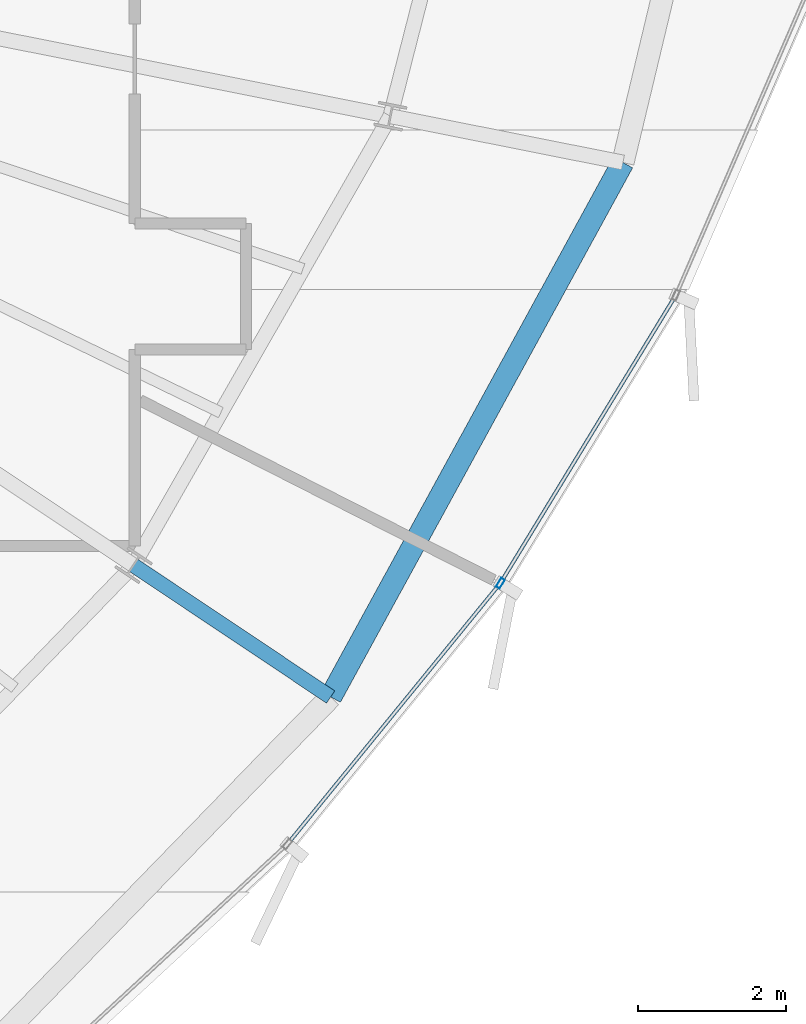
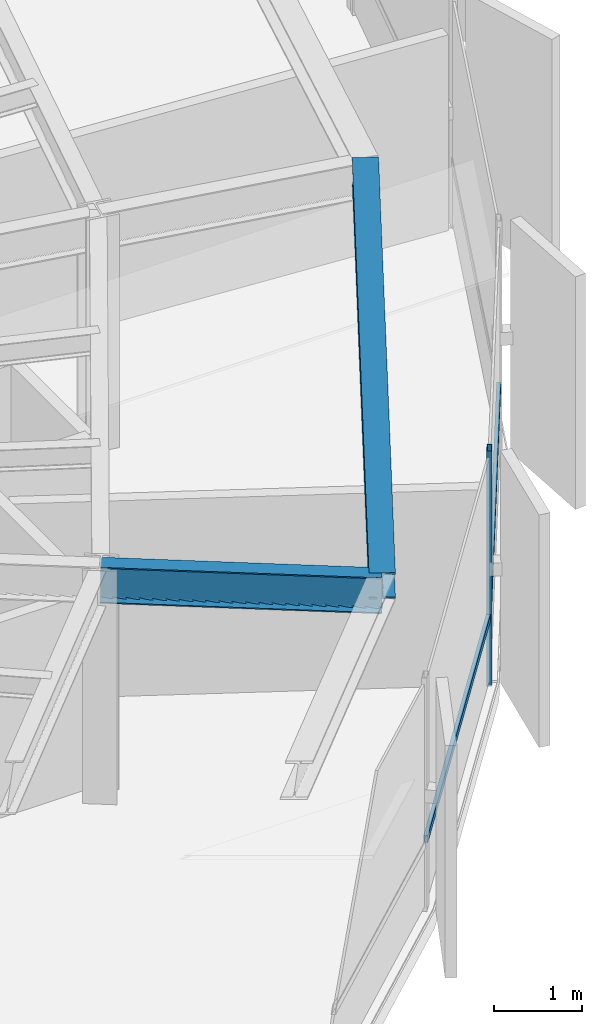
# One storey, part 15 of 34: 3 members, 2 beams, 1 element without a shape of its own.
"""IFC4 building model written with IfcOpenShell, lengths in metres."""

import ifcopenshell
import ifcopenshell.guid

model = None  # the IFC model being written
_history = None  # IfcOwnerHistory: only IFC2X3 demands one
_inside = {}  # id of a spatial element -> (the spatial element, [elements in it])
_under = {}  # id of a project, library or spatial element -> (it, [spatial elements below it])
_declared = {}  # id of a project -> (the project, [libraries it declares])
_typed = {}  # id of a type object -> (the type object, [elements of that type])
_made_of = {}  # id of a material, layer set ... -> (it, [elements and type objects made of it])


def new_model(schema):
    """Start an empty IFC model of exactly this schema.

    Asked for "IFC4X3", IfcOpenShell would pick the latest addendum, in which some entities
    have other attributes; the version numbers below select the first issue.
    IFC2X3 requires an IfcOwnerHistory on every rooted entity: one is made here for all.
    """
    global model, _history
    if schema == "IFC4X3":
        model = ifcopenshell.file(schema_version=(4, 3, 0, 0))
    else:
        model = ifcopenshell.file(schema=schema)
    _inside.clear()
    _under.clear()
    _declared.clear()
    _typed.clear()
    _made_of.clear()
    _history = None
    if model.schema == "IFC2X3":
        org = make("IfcOrganization", Name="unknown")
        user = make(
            "IfcPersonAndOrganization",
            ThePerson=make("IfcPerson", FamilyName="unknown"),
            TheOrganization=org,
        )
        app = make(
            "IfcApplication",
            ApplicationDeveloper=org,
            Version="unknown",
            ApplicationFullName="unknown",
            ApplicationIdentifier="unknown",
        )
        _history = make(
            "IfcOwnerHistory",
            OwningUser=user,
            OwningApplication=app,
            ChangeAction="ADDED",
            CreationDate=0,
        )
    return model


def make(cls, **values):
    """One entity of the class cls with the attributes given. An attribute that is None is left unset."""
    return model.create_entity(
        cls, **{name: value for name, value in values.items() if value is not None}
    )


def rooted(cls, **values):
    """An entity with a GlobalId (a new one), such as an element, a storey or a relation."""
    return make(cls, GlobalId=ifcopenshell.guid.new(), OwnerHistory=_history, **values)


def si_unit(unit_type, name, prefix=None):
    """IfcSIUnit, for example si_unit("LENGTHUNIT", "METRE", prefix="MILLI")."""
    return make("IfcSIUnit", UnitType=unit_type, Prefix=prefix, Name=name)


def assignment(units):
    """IfcUnitAssignment: the units of a project."""
    return None if units is None else make("IfcUnitAssignment", Units=units)


def point(xyz):
    """IfcCartesianPoint."""
    return None if xyz is None else make("IfcCartesianPoint", Coordinates=xyz)


def direction(xyz):
    """IfcDirection."""
    return None if xyz is None else make("IfcDirection", DirectionRatios=xyz)


def frame(location, z_axis=None, x_axis=None):
    """IfcAxis2Placement3D, a coordinate frame: its origin and axes. An axis left out is left unset."""
    return make(
        "IfcAxis2Placement3D",
        Location=point(location),
        Axis=direction(z_axis),
        RefDirection=direction(x_axis),
    )


def frame_2d(location, x_axis=None):
    """IfcAxis2Placement2D, a coordinate frame in the plane: its origin and x axis."""
    return make(
        "IfcAxis2Placement2D", Location=point(location), RefDirection=direction(x_axis)
    )


def origin():
    """The frame at (0, 0, 0) with its axes left unset."""
    return frame((0.0, 0.0, 0.0))


def origin_2d():
    """The frame at (0, 0) in the plane with its x axis left unset."""
    return frame_2d((0.0, 0.0))


def place(relative_to, where):
    """IfcLocalPlacement: puts the frame where relative to a parent placement (None: the world)."""
    return make(
        "IfcLocalPlacement", PlacementRelTo=relative_to, RelativePlacement=where
    )


def context(
    kind, dimensions, precision=None, world=None, true_north=None, identifier=None
):
    """IfcGeometricRepresentationContext, for example the 3D "Model" context."""
    return make(
        "IfcGeometricRepresentationContext",
        ContextIdentifier=identifier,
        ContextType=kind,
        CoordinateSpaceDimension=dimensions,
        Precision=precision,
        WorldCoordinateSystem=world,
        TrueNorth=true_north,
    )


def subcontext(parent, identifier, kind, view, scale=None):
    """IfcGeometricRepresentationSubContext, for example "Body" below "Model"."""
    return make(
        "IfcGeometricRepresentationSubContext",
        ContextIdentifier=identifier,
        ContextType=kind,
        ParentContext=parent,
        TargetScale=scale,
        TargetView=view,
    )


def project(units=None, contexts=None):
    """IfcProject with its units and contexts."""
    return rooted(
        "IfcProject",
        Name="project",
        RepresentationContexts=contexts,
        UnitsInContext=assignment(units),
    )


def spatial(cls, under=None, at=None, **own):
    """A site, building, storey or space (cls), placed at a placement, below another one or the project."""
    s = rooted(cls, ObjectPlacement=at, **own)
    if under is not None:
        _under.setdefault(under.id(), (under, []))[1].append(s)
    return s


def profile(cls, at=None, kind="AREA", **sizes):
    """A parametric profile (cls). Its sizes go by their IFC names, for example OverallWidth=200.0."""
    return make(cls, ProfileType=kind, Position=at, **sizes)


def hollow_rectangle(**sizes):
    """IfcRectangleHollowProfileDef."""
    return profile("IfcRectangleHollowProfileDef", **sizes)


def i_section(**sizes):
    """IfcIShapeProfileDef."""
    return profile("IfcIShapeProfileDef", **sizes)


def extrude(swept, where, along, depth):
    """IfcExtrudedAreaSolid: the profile swept, set in the frame where, extruded along a direction by depth."""
    return make(
        "IfcExtrudedAreaSolid",
        SweptArea=swept,
        Position=where,
        ExtrudedDirection=direction(along),
        Depth=depth,
    )


def shape(context_of_items, identifier, shape_type, items):
    """IfcShapeRepresentation: the items that make up one representation, for example the "Body"."""
    return make(
        "IfcShapeRepresentation",
        ContextOfItems=context_of_items,
        RepresentationIdentifier=identifier,
        RepresentationType=shape_type,
        Items=items,
    )


def source(mapping_origin, context_of_items, identifier, shape_type, items):
    """IfcRepresentationMap: a shape defined once, which mapped items show again and again."""
    return make(
        "IfcRepresentationMap",
        MappingOrigin=mapping_origin,
        MappedRepresentation=shape(context_of_items, identifier, shape_type, items),
    )


def transform(
    local_origin,
    x_axis=None,
    y_axis=None,
    z_axis=None,
    scale=None,
    scale2=None,
    scale3=None,
    uniform=True,
):
    """IfcCartesianTransformationOperator3D, or its non-uniform kind. x_axis, y_axis, z_axis: its Axis1, 2, 3."""
    if uniform:
        return make(
            "IfcCartesianTransformationOperator3D",
            Axis1=direction(x_axis),
            Axis2=direction(y_axis),
            LocalOrigin=point(local_origin),
            Scale=scale,
            Axis3=direction(z_axis),
        )
    return make(
        "IfcCartesianTransformationOperator3DnonUniform",
        Axis1=direction(x_axis),
        Axis2=direction(y_axis),
        LocalOrigin=point(local_origin),
        Scale=scale,
        Axis3=direction(z_axis),
        Scale2=scale2,
        Scale3=scale3,
    )


def mapped(mapping_source, mapping_target):
    """IfcMappedItem: shows the shape of a source again, moved by a transform."""
    return make(
        "IfcMappedItem", MappingSource=mapping_source, MappingTarget=mapping_target
    )


def material(Name=None, Category=None):
    """IfcMaterial."""
    return make("IfcMaterial", Name=Name, Category=Category)


def layer(
    of_material, thickness, ventilated=None, Name=None, Category=None, Priority=None
):
    """IfcMaterialLayer: one layer of a wall or slab, of a material (None: an air gap)."""
    return make(
        "IfcMaterialLayer",
        Material=of_material,
        LayerThickness=thickness,
        IsVentilated=ventilated,
        Name=Name,
        Category=Category,
        Priority=Priority,
    )


def layer_set(layers, Name=None):
    """IfcMaterialLayerSet."""
    return make("IfcMaterialLayerSet", MaterialLayers=layers, LayerSetName=Name)


def material_profile(
    of_material, cross_section, Name=None, Category=None, Priority=None
):
    """IfcMaterialProfile: a cross section and its material."""
    return make(
        "IfcMaterialProfile",
        Name=Name,
        Material=of_material,
        Profile=cross_section,
        Priority=Priority,
        Category=Category,
    )


def profile_set(profiles, Name=None, composite=None):
    """IfcMaterialProfileSet."""
    return make(
        "IfcMaterialProfileSet",
        Name=Name,
        MaterialProfiles=profiles,
        CompositeProfile=composite,
    )


def made_of(thing, what):
    """Note that an element or type object is made of a material, layer set ...; save() writes the relation."""
    if what is not None:
        _made_of.setdefault(what.id(), (what, []))[1].append(thing)
    return thing


def type_object(cls, material=None, **own):
    """A type object (cls), such as IfcWallType, which elements share."""
    return made_of(rooted(cls, **own), material)


def element(
    cls,
    number,
    at=None,
    inside=None,
    cuts=None,
    type_object=None,
    material=None,
    context=None,
    identifier="Body",
    shape_type=None,
    held_by="IfcProductDefinitionShape",
    body=None,
    shapes=None,
    **own,
):
    """One element of the class cls, such as IfcWall. Its Tag is "e" and its number.

    at: its placement. inside: the storey or other place that contains it. cuts: it is an
    opening in that element (IfcRelVoidsElement). A single representation is given by context,
    identifier, shape_type and body (its items); several are given by shapes. held_by: the class
    of the entity that holds the representations. save() writes the other relations.
    """
    e = rooted(cls, Tag="e%d" % number, ObjectPlacement=at, **own)
    if body is not None:
        shapes = [shape(context, identifier, shape_type, body)]
    if shapes is not None:
        e.Representation = make(held_by, Representations=shapes)
    if inside is not None:
        _inside.setdefault(inside.id(), (inside, []))[1].append(e)
    if cuts is not None:
        rooted(
            "IfcRelVoidsElement", RelatingBuildingElement=cuts, RelatedOpeningElement=e
        )
    if type_object is not None:
        _typed.setdefault(type_object.id(), (type_object, []))[1].append(e)
    return made_of(e, material)


def aggregate(whole, parts):
    """IfcRelAggregates: a whole, such as a stair, and the parts it consists of."""
    return rooted("IfcRelAggregates", RelatingObject=whole, RelatedObjects=parts)


def save(model, path):
    """Write the relations noted so far, then the file.

    IfcRelAggregates (storeys below a building ...), IfcRelContainedInSpatialStructure (elements
    in a storey), IfcRelDefinesByType, IfcRelAssociatesMaterial and IfcRelDeclares: one each for
    every whole, place, type object, material and project.
    """
    for whole, parts in _under.values():
        aggregate(whole, parts)
    for where, things in _inside.values():
        rooted(
            "IfcRelContainedInSpatialStructure",
            RelatedElements=things,
            RelatingStructure=where,
        )
    for kind, things in _typed.values():
        rooted("IfcRelDefinesByType", RelatedObjects=things, RelatingType=kind)
    for what, things in _made_of.values():
        rooted("IfcRelAssociatesMaterial", RelatedObjects=things, RelatingMaterial=what)
    for by, libraries in _declared.values():
        rooted("IfcRelDeclares", RelatingContext=by, RelatedDefinitions=libraries)
    model.write(path)


model = new_model("IFC4")

# Units and contexts
model_context = context("Model", 3, precision=1e-05, world=origin(), true_north=direction((0.0, 1.0)))
body_context = subcontext(model_context, "Body", "Model", "MODEL_VIEW")
ifc_project = project(units=[si_unit("LENGTHUNIT", "METRE"), si_unit("AREAUNIT", "SQUARE_METRE"), si_unit("VOLUMEUNIT", "CUBIC_METRE"), si_unit("PLANEANGLEUNIT", "RADIAN"), si_unit("MASSUNIT", "GRAM", prefix="KILO"), si_unit("THERMODYNAMICTEMPERATUREUNIT", "KELVIN")], contexts=[model_context])

# Site, building, storey
site_placement = place(None, origin())
site = spatial("IfcSite", under=ifc_project, at=site_placement, CompositionType="ELEMENT")
building_placement = place(site_placement, origin())
building = spatial("IfcBuilding", under=site, at=building_placement, Name="Kethvar Cultural Tower", CompositionType="ELEMENT")
storey_placement = place(building_placement, frame((0.0, 0.0, 190.39990234375)))
storey = spatial("IfcBuildingStorey", under=building, at=storey_placement, Name="L49", CompositionType="ELEMENT", Elevation=190.39990234375)

# Beams
ifc_material_1 = material(Name="Steel S355J2", Category="steel")
ifc_material_profile_1 = material_profile(ifc_material_1, i_section(OverallWidth=0.199951171875, OverallDepth=0.5, WebThickness=0.01025390625, FlangeThickness=0.01611328125, FilletRadius=0.02099609375, at=origin_2d()), Name="Steel S355J2 — IPE500")
ifc_profile_set_1 = profile_set([ifc_material_profile_1], Name="Steel S355J2 — IPE500")
beam_type_1 = type_object("IfcBeamType", Name="BM-IPE500", PredefinedType="BEAM", material=ifc_profile_set_1)
shared_shape_1 = source(origin(), body_context, "Body", "SweptSolid", [
    extrude(i_section(OverallWidth=0.199951171875, OverallDepth=0.5, WebThickness=0.01025390625, FlangeThickness=0.01611328125, FilletRadius=0.02099609375, at=origin_2d()), origin(), (0.0, 0.0, 1.0), 3.199951171875),
])
beam_1_placement = place(storey_placement, frame((61.1826171875, 18.18994140625, 3.008056640625), z_axis=(0.831462943996, -0.555580212716, 0.0), x_axis=(0.555580212716, 0.831462943996, 0.0)))
element("IfcBeam", 1, at=beam_1_placement, inside=storey, type_object=beam_type_1, Name="L49 Perimeter Cantilever Beam RC-15", PredefinedType="BEAM", context=body_context, shape_type="MappedRepresentation", body=[
    mapped(shared_shape_1, transform((0.0, 0.0, 0.0), scale=1.0)),
])
ifc_material_profile_2 = material_profile(ifc_material_1, i_section(OverallWidth=0.300048828125, OverallDepth=0.360107421875, WebThickness=0.012451171875, FlangeThickness=0.0224609375, FilletRadius=0.027099609375, at=origin_2d()), Name="Steel S355J2 — HEB360")
ifc_profile_set_2 = profile_set([ifc_material_profile_2], Name="Steel S355J2 — HEB360")
beam_type_2 = type_object("IfcBeamType", Name="BM-SP360", PredefinedType="SPANDREL", material=ifc_profile_set_2)
shared_shape_2 = source(origin(), body_context, "Body", "SweptSolid", [
    extrude(i_section(OverallWidth=0.300048828125, OverallDepth=0.360107421875, WebThickness=0.012451171875, FlangeThickness=0.0224609375, FilletRadius=0.027099609375, at=origin_2d()), origin(), (0.0, 0.0, 1.0), 8.22119140625),
])
beam_2_placement = place(storey_placement, frame((63.84326171875, 16.412109375, 3.078125), z_axis=(0.479721613821, 0.8774207504, 0.0), x_axis=(-0.8774207504, 0.479721613821, 0.0)))
element("IfcBeam", 2, at=beam_2_placement, inside=storey, type_object=beam_type_2, Name="L49 Perimeter Spandrel Beam SP-15", PredefinedType="SPANDREL", context=body_context, shape_type="MappedRepresentation", body=[
    mapped(shared_shape_2, transform((0.0, 0.0, 0.0), scale=1.0)),
])

# Curtain wall, members
ifc_material_2 = material(Name="Aluminium 6063-T6", Category="aluminium")
ifc_layer = layer(ifc_material_2, 0.179931640625, Name="Aluminium 6063-T6", Category="aluminium")
ifc_layer_set = layer_set([ifc_layer], Name="Aluminium 6063-T6 (180 mm)")
curtain_wall_type = type_object("IfcCurtainWallType", Name="CW-SYS-04-Z34", PredefinedType="NOTDEFINED", material=ifc_layer_set)
curtain_wall_placement = place(storey_placement, origin())
curtain_wall = element("IfcCurtainWall", 3, at=curtain_wall_placement, inside=storey, type_object=curtain_wall_type, Name="L49 Curtain Wall Run 06", PredefinedType="NOTDEFINED")
ifc_material_profile_3 = material_profile(ifc_material_2, hollow_rectangle(XDim=0.06005859375, YDim=0.139892578125, WallThickness=0.0048828125, at=origin_2d()), Name="Aluminium 6063-T6 — RHS140x60x5")
ifc_profile_set_3 = profile_set([ifc_material_profile_3], Name="Aluminium 6063-T6 — RHS140x60x5")
member_type_1 = type_object("IfcMemberType", Name="CW-SYS-04-Z34-MUL", PredefinedType="MULLION", material=ifc_profile_set_3)
shared_shape_3 = source(origin(), body_context, "Body", "SweptSolid", [
    extrude(hollow_rectangle(XDim=0.06005859375, YDim=0.139892578125, WallThickness=0.0048828125, at=origin_2d()), origin(), (0.0, 0.0, 1.0), 3.260009765625),
])
member_1_placement = place(storey_placement, frame((66.1328125, 17.94580078125, 0.0), z_axis=(0.0, 0.0, 1.0), x_axis=(-0.853996058425, 0.520279475084, 0.0)))
member_1 = element("IfcMember", 4, at=member_1_placement, type_object=member_type_1, Name="CW-L49-R06 Mullion 4", PredefinedType="MULLION", context=body_context, shape_type="MappedRepresentation", body=[
    mapped(shared_shape_3, transform((0.0, 0.0, 0.0), scale=1.0)),
])
ifc_material_profile_4 = material_profile(ifc_material_2, hollow_rectangle(XDim=0.050048828125, YDim=0.10009765625, WallThickness=0.00390625, at=origin_2d()), Name="Aluminium 6063-T6 — RHS100x50x4")
ifc_profile_set_4 = profile_set([ifc_material_profile_4], Name="Aluminium 6063-T6 — RHS100x50x4")
member_type_2 = type_object("IfcMemberType", Name="CW-SYS-04-Z34-TRN", PredefinedType="USERDEFINED", material=ifc_profile_set_4)
shared_shape_4 = source(origin(), body_context, "Body", "SweptSolid", [
    extrude(hollow_rectangle(XDim=0.050048828125, YDim=0.10009765625, WallThickness=0.00390625, at=origin_2d()), origin(), (0.0, 0.0, 1.0), 4.481689453125),
])
member_2_placement = place(storey_placement, frame((66.155029296875, 17.982666015625, 0.9501953125), z_axis=(0.520283895631, 0.853993365283, 0.0), x_axis=(-0.853993365283, 0.520283895631, 0.0)))
member_2 = element("IfcMember", 5, at=member_2_placement, type_object=member_type_2, Name="CW-L49-R06 Transom 4", ObjectType="TRANSOM", PredefinedType="USERDEFINED", context=body_context, shape_type="MappedRepresentation", body=[
    mapped(shared_shape_4, transform((0.0, 0.0, 0.0), scale=1.0)),
])
shared_shape_5 = source(origin(), body_context, "Body", "SweptSolid", [
    extrude(hollow_rectangle(XDim=0.050048828125, YDim=0.10009765625, WallThickness=0.00390625, at=origin_2d()), origin(), (0.0, 0.0, 1.0), 4.4716796875),
])
member_3_placement = place(storey_placement, frame((63.287109375, 14.459716796875, 0.9501953125), z_axis=(0.632169858657, 0.774829832806, 0.0), x_axis=(-0.774829832806, 0.632169858657, 0.0)))
member_3 = element("IfcMember", 6, at=member_3_placement, type_object=member_type_2, Name="CW-L49-R06 Transom 3", ObjectType="TRANSOM", PredefinedType="USERDEFINED", context=body_context, shape_type="MappedRepresentation", body=[
    mapped(shared_shape_5, transform((0.0, 0.0, 0.0), scale=1.0)),
])
aggregate(curtain_wall, [member_1, member_3, member_2])

save(model, "model.ifc")
